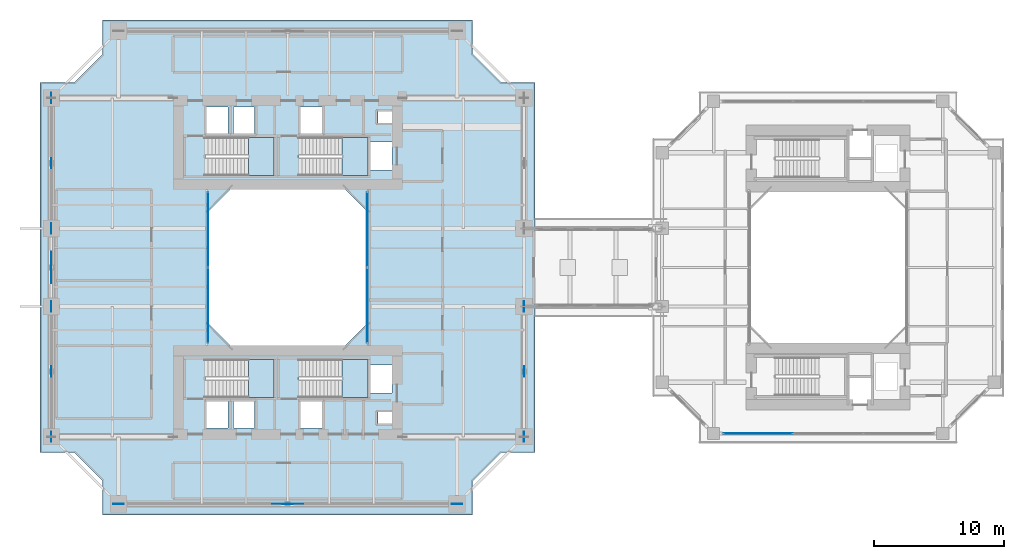
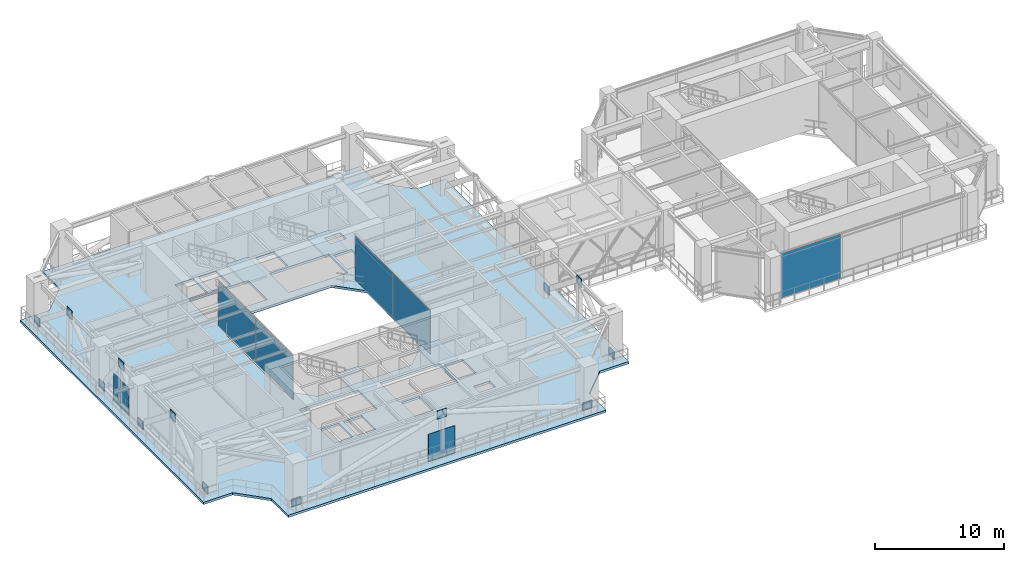
# One storey, part 11 of 26: 20 plates, 5 slabs, 7 elements without a shape of their own.
"""IFC4 building model written with IfcOpenShell, lengths in metres."""

from ifc_helpers import new_model, si_unit, direction, frame, origin, origin_2d, place, context, subcontext, project, spatial, polyline, rectangle, outline, extrude, source, transform, mapped, material, layer, layer_set, type_object, element, aggregate, save


model = new_model("IFC4")

# Units and contexts
model_context = context("Model", 3, precision=1e-05, world=origin(), true_north=direction((0.0, 1.0)))
body_context = subcontext(model_context, "Body", "Model", "MODEL_VIEW")
ifc_project = project(units=[si_unit("LENGTHUNIT", "METRE"), si_unit("AREAUNIT", "SQUARE_METRE"), si_unit("VOLUMEUNIT", "CUBIC_METRE"), si_unit("PLANEANGLEUNIT", "RADIAN"), si_unit("MASSUNIT", "GRAM", prefix="KILO"), si_unit("THERMODYNAMICTEMPERATUREUNIT", "KELVIN"), si_unit("POWERUNIT", "WATT")], contexts=[model_context])

# Site, building, storey
site_placement = place(None, origin())
site = spatial("IfcSite", under=ifc_project, at=site_placement, CompositionType="ELEMENT")
building_placement = place(site_placement, origin())
building = spatial("IfcBuilding", under=site, at=building_placement, Name="Qiaomeng Ring Towers", CompositionType="ELEMENT")
storey_placement = place(building_placement, frame((0.0, 0.0, 45.75)))
storey = spatial("IfcBuildingStorey", under=building, at=storey_placement, Name="L12", CompositionType="ELEMENT", Elevation=45.75)

# Slab
ifc_material_1 = material(Name="Concrete C40", Category="concrete")
ifc_layer_1 = layer(ifc_material_1, 0.219970703125, Name="Concrete C40")
ifc_layer_set_1 = layer_set([ifc_layer_1], Name="Concrete C40")
slab_type_1 = type_object("IfcSlabType", Name="STR-SL-220", PredefinedType="FLOOR", material=ifc_layer_set_1)
slab_1_placement = place(storey_placement, frame((0.0, 0.0, -0.219970703125)))
element("IfcSlab", 1, at=slab_1_placement, inside=storey, type_object=slab_type_1, Name="L12 Tower 1 Annular Floor Slab", PredefinedType="FLOOR", context=body_context, shape_type="SweptSolid", body=[
    extrude(outline(polyline([(4.800048828125, 4.0), (33.199951171875, 4.0), (33.199951171875, 6.60009765625), (35.39990234375, 8.800048828125), (38.0, 8.800048828125), (38.0, 37.199951171875), (35.39990234375, 37.199951171875), (33.199951171875, 39.39990234375), (33.199951171875, 42.0), (4.800048828125, 42.0), (4.800048828125, 39.39990234375), (2.60009765625, 37.199951171875), (0.0, 37.199951171875), (0.0, 8.800048828125), (2.60009765625, 8.800048828125), (4.800048828125, 6.60009765625), (4.800048828125, 4.0)]), holes=[polyline([(12.780029296875, 10.679931640625), (12.780029296875, 12.820068359375), (14.419921875, 12.820068359375), (14.419921875, 10.679931640625), (12.780029296875, 10.679931640625)]), polyline([(14.830078125, 12.820068359375), (16.469970703125, 12.820068359375), (16.469970703125, 10.679931640625), (14.830078125, 10.679931640625), (14.830078125, 12.820068359375)]), polyline([(12.679931640625, 15.949951171875), (17.949951171875, 15.949951171875), (17.949951171875, 13.010009765625), (12.679931640625, 13.010009765625), (12.679931640625, 15.949951171875)]), polyline([(25.199951171875, 27.199951171875), (25.199951171875, 18.800048828125), (23.199951171875, 16.800048828125), (14.800048828125, 16.800048828125), (12.800048828125, 18.800048828125), (12.800048828125, 27.199951171875), (14.800048828125, 29.199951171875), (23.199951171875, 29.199951171875), (25.199951171875, 27.199951171875)]), polyline([(12.679931640625, 32.989990234375), (17.949951171875, 32.989990234375), (17.949951171875, 30.050048828125), (12.679931640625, 30.050048828125), (12.679931640625, 32.989990234375)]), polyline([(12.780029296875, 35.320068359375), (14.419921875, 35.320068359375), (14.419921875, 33.179931640625), (12.780029296875, 33.179931640625), (12.780029296875, 35.320068359375)]), polyline([(14.830078125, 35.320068359375), (16.469970703125, 35.320068359375), (16.469970703125, 33.179931640625), (14.830078125, 33.179931640625), (14.830078125, 35.320068359375)]), polyline([(19.97998046875, 35.320068359375), (21.6201171875, 35.320068359375), (21.6201171875, 33.179931640625), (19.97998046875, 33.179931640625), (19.97998046875, 35.320068359375)]), polyline([(25.919921875, 11.89990234375), (27.360107421875, 11.89990234375), (27.360107421875, 11.0), (25.919921875, 11.0), (25.919921875, 11.89990234375)]), polyline([(19.97998046875, 12.820068359375), (21.6201171875, 12.820068359375), (21.6201171875, 10.679931640625), (19.97998046875, 10.679931640625), (19.97998046875, 12.820068359375)]), polyline([(25.360107421875, 15.52001953125), (27.0, 15.52001953125), (27.0, 13.3798828125), (25.360107421875, 13.3798828125), (25.360107421875, 15.52001953125)]), polyline([(19.8798828125, 15.949951171875), (25.14990234375, 15.949951171875), (25.14990234375, 13.010009765625), (19.8798828125, 13.010009765625), (19.8798828125, 15.949951171875)]), polyline([(19.8798828125, 32.989990234375), (25.14990234375, 32.989990234375), (25.14990234375, 30.050048828125), (19.8798828125, 30.050048828125), (19.8798828125, 32.989990234375)]), polyline([(25.360107421875, 32.6201171875), (27.0, 32.6201171875), (27.0, 30.47998046875), (25.360107421875, 30.47998046875), (25.360107421875, 32.6201171875)]), polyline([(25.919921875, 35.0), (27.360107421875, 35.0), (27.360107421875, 34.10009765625), (25.919921875, 34.10009765625), (25.919921875, 35.0)])]), origin(), (0.0, 0.0, 1.0), 0.219970703125),
])

# Stair, slab
ifc_material_2 = material(Name="Precast concrete C40", Category="concrete")
stair_type = type_object("IfcStairType", Name="ARC-ST-450", PredefinedType="HALF_TURN_STAIR", material=ifc_material_2)
stair_1_placement = place(storey_placement, origin())
stair_1 = element("IfcStair", 2, at=stair_1_placement, inside=storey, type_object=stair_type, Name="L12 Tower 1 North Stair 1", PredefinedType="HALF_TURN_STAIR")
ifc_layer_2 = layer(ifc_material_1, 0.199951171875, Name="Concrete C40")
ifc_layer_set_2 = layer_set([ifc_layer_2], Name="Concrete C40")
slab_type_2 = type_object("IfcSlabType", Name="STR-SL-LANDING", PredefinedType="LANDING", material=ifc_layer_set_2)
slab_2_placement = place(storey_placement, frame((0.0, 0.0, 2.050048828125)))
slab_2 = element("IfcSlab", 3, at=slab_2_placement, type_object=slab_type_2, Name="ST1 landing 1", PredefinedType="LANDING", context=body_context, shape_type="SweptSolid", body=[
    extrude(outline(polyline([(15.97998046875, 30.050048828125), (17.949951171875, 30.050048828125), (17.949951171875, 32.989990234375), (15.97998046875, 32.989990234375), (15.97998046875, 30.050048828125)])), origin(), (0.0, 0.0, 1.0), 0.199951171875),
])
aggregate(stair_1, [slab_2])

stair_2_placement = place(storey_placement, origin())
stair_2 = element("IfcStair", 4, at=stair_2_placement, inside=storey, type_object=stair_type, Name="L12 Tower 1 North Stair 2", PredefinedType="HALF_TURN_STAIR")
slab_3_placement = place(storey_placement, frame((0.0, 0.0, 2.050048828125)))
slab_3 = element("IfcSlab", 5, at=slab_3_placement, type_object=slab_type_2, Name="ST2 landing 1", PredefinedType="LANDING", context=body_context, shape_type="SweptSolid", body=[
    extrude(outline(polyline([(23.179931640625, 30.050048828125), (25.14990234375, 30.050048828125), (25.14990234375, 32.989990234375), (23.179931640625, 32.989990234375), (23.179931640625, 30.050048828125)])), origin(), (0.0, 0.0, 1.0), 0.199951171875),
])
aggregate(stair_2, [slab_3])

stair_3_placement = place(storey_placement, origin())
stair_3 = element("IfcStair", 6, at=stair_3_placement, inside=storey, type_object=stair_type, Name="L12 Tower 1 South Stair 3", PredefinedType="HALF_TURN_STAIR")
slab_4_placement = place(storey_placement, frame((0.0, 0.0, 2.050048828125)))
slab_4 = element("IfcSlab", 7, at=slab_4_placement, type_object=slab_type_2, Name="ST3 landing 1", PredefinedType="LANDING", context=body_context, shape_type="SweptSolid", body=[
    extrude(outline(polyline([(15.97998046875, 13.010009765625), (17.949951171875, 13.010009765625), (17.949951171875, 15.949951171875), (15.97998046875, 15.949951171875), (15.97998046875, 13.010009765625)])), origin(), (0.0, 0.0, 1.0), 0.199951171875),
])
aggregate(stair_3, [slab_4])

stair_4_placement = place(storey_placement, origin())
stair_4 = element("IfcStair", 8, at=stair_4_placement, inside=storey, type_object=stair_type, Name="L12 Tower 1 South Stair 4", PredefinedType="HALF_TURN_STAIR")
slab_5_placement = place(storey_placement, frame((0.0, 0.0, 2.050048828125)))
slab_5 = element("IfcSlab", 9, at=slab_5_placement, type_object=slab_type_2, Name="ST4 landing 1", PredefinedType="LANDING", context=body_context, shape_type="SweptSolid", body=[
    extrude(outline(polyline([(23.179931640625, 13.010009765625), (25.14990234375, 13.010009765625), (25.14990234375, 15.949951171875), (23.179931640625, 15.949951171875), (23.179931640625, 13.010009765625)])), origin(), (0.0, 0.0, 1.0), 0.199951171875),
])
aggregate(stair_4, [slab_5])

# Plates
ifc_material_3 = material(Name="Steel Q390GJC", Category="steel")
ifc_layer_3 = layer(ifc_material_3, 0.031982421875, Name="Steel Q390GJC")
ifc_layer_set_3 = layer_set([ifc_layer_3], Name="Steel Q390GJC")
plate_type_1 = type_object("IfcPlateType", Name="STR-PL-GUSSET", PredefinedType="USERDEFINED", material=ifc_layer_set_3)
shared_shape_1 = source(origin(), body_context, "Body", "SweptSolid", [
    extrude(rectangle(XDim=0.800048828125, YDim=0.031982421875, at=origin_2d()), origin(), (0.0, 0.0, 1.0), 0.800048828125),
])
for number, where, z_axis, x_axis, name in (
    (10, (19.0, 4.85009765625, 3.72021484375), (0.0, 0.0, 1.0), (1.0, 0.0, 0.0), "L12 Belt Truss Node Gusset Plate 1-APX"),
    (11, (6.0, 4.85009765625, -0.080078125), (0.0, 0.0, 1.0), (1.0, 0.0, 0.0), "L12 Belt Truss Node Gusset Plate 1-N1"),
    (12, (32.0, 4.85009765625, -0.080078125), (0.0, 0.0, 1.0), (1.0, 0.0, 0.0), "L12 Belt Truss Node Gusset Plate 1-N2"),
    (13, (37.14990234375, 15.0, 3.72021484375), (0.0, 0.0, 1.0), (0.0, 1.0, 0.0), "L12 Belt Truss Node Gusset Plate 2-APX"),
    (14, (37.14990234375, 10.0, -0.080078125), (0.0, 0.0, 1.0), (0.0, 1.0, 0.0), "L12 Belt Truss Node Gusset Plate 2-N1"),
    (15, (37.14990234375, 20.0, -0.080078125), (0.0, 0.0, 1.0), (0.0, 1.0, 0.0), "L12 Belt Truss Node Gusset Plate 2-N2"),
    (16, (0.85009765625, 31.0, 3.72021484375), (0.0, 0.0, 1.0), (0.0, -1.0, 0.0), "L12 Belt Truss Node Gusset Plate 6-APX"),
    (17, (0.85009765625, 36.0, -0.080078125), (0.0, 0.0, 1.0), (0.0, -1.0, 0.0), "L12 Belt Truss Node Gusset Plate 6-N1"),
    (18, (0.85009765625, 26.0, -0.080078125), (0.0, 0.0, 1.0), (0.0, -1.0, 0.0), "L12 Belt Truss Node Gusset Plate 6-N2"),
    (19, (0.85009765625, 23.0, 3.72021484375), (0.0, 0.0, 1.0), (0.0, -1.0, 0.0), "L12 Belt Truss Node Gusset Plate 7-APX"),
    (20, (0.85009765625, 20.0, -0.080078125), (0.0, 0.0, 1.0), (0.0, -1.0, 0.0), "L12 Belt Truss Node Gusset Plate 7-N2"),
    (21, (0.85009765625, 15.0, 3.72021484375), (0.0, 0.0, 1.0), (0.0, -1.0, 0.0), "L12 Belt Truss Node Gusset Plate 8-APX"),
    (22, (0.85009765625, 10.0, -0.080078125), (0.0, 0.0, 1.0), (0.0, -1.0, 0.0), "L12 Belt Truss Node Gusset Plate 8-N2"),
):
    element("IfcPlate", number, at=place(storey_placement, frame(where, z_axis=z_axis, x_axis=x_axis)), inside=storey, type_object=plate_type_1, Name=name, ObjectType="GUSSET PLATE", PredefinedType="USERDEFINED", context=body_context, shape_type="MappedRepresentation", body=[
        mapped(shared_shape_1, transform((0.0, 0.0, 0.0), x_axis=(1.0, 0.0, 0.0), y_axis=(0.0, 1.0, 0.0), z_axis=(0.0, 0.0, 1.0), scale=1.0)),
    ])

# Curtain wall, plates
ifc_material_4 = material(Name="Fluorocarbon dark-grey aluminium", Category="aluminium")
ifc_layer_4 = layer(ifc_material_4, 0.139892578125, Name="Fluorocarbon dark-grey aluminium")
ifc_layer_set_4 = layer_set([ifc_layer_4], Name="Fluorocarbon dark-grey aluminium")
curtain_wall_type_1 = type_object("IfcCurtainWallType", Name="ARC-CW-4", PredefinedType="NOTDEFINED", material=ifc_layer_set_4)
curtain_wall_1_placement = place(storey_placement, origin())
curtain_wall_1 = element("IfcCurtainWall", 23, at=curtain_wall_1_placement, inside=storey, type_object=curtain_wall_type_1, Name="L12 Curtain Wall CW4", PredefinedType="NOTDEFINED")
ifc_material_5 = material(Name="Low-E dark-grey laminated double glazing", Category="glass")
ifc_layer_5 = layer(ifc_material_5, 0.028076171875, Name="Low-E dark-grey laminated double glazing")
ifc_layer_set_5 = layer_set([ifc_layer_5], Name="Low-E dark-grey laminated double glazing")
plate_type_2 = type_object("IfcPlateType", Name="ARC-CWP-DARK", PredefinedType="CURTAIN_PANEL", material=ifc_layer_set_5)
shared_shape_2 = source(origin(), body_context, "Body", "SweptSolid", [
    extrude(rectangle(XDim=5.75244140625, YDim=0.028076171875, at=origin_2d()), origin(), (0.0, 0.0, 1.0), 4.18994140625),
])
plate_1_placement = place(storey_placement, frame((12.8798828125, 20.09130859375, 0.06494140625), z_axis=(0.0, 0.0, 1.0), x_axis=(0.0, 1.0, 0.0)))
plate_1 = element("IfcPlate", 24, at=plate_1_placement, type_object=plate_type_2, Name="CW4 panel 1.1", PredefinedType="CURTAIN_PANEL", context=body_context, shape_type="MappedRepresentation", body=[
    mapped(shared_shape_2, transform((0.0, 0.0, 0.0), x_axis=(1.0, 0.0, 0.0), y_axis=(0.0, 1.0, 0.0), z_axis=(0.0, 0.0, 1.0), scale=1.0)),
])
plate_2_placement = place(storey_placement, frame((12.8798828125, 25.90869140625, 0.06494140625), z_axis=(0.0, 0.0, 1.0), x_axis=(0.0, 1.0, 0.0)))
plate_2 = element("IfcPlate", 25, at=plate_2_placement, type_object=plate_type_2, Name="CW4 panel 2.1", PredefinedType="CURTAIN_PANEL", context=body_context, shape_type="MappedRepresentation", body=[
    mapped(shared_shape_2, transform((0.0, 0.0, 0.0), x_axis=(1.0, 0.0, 0.0), y_axis=(0.0, 1.0, 0.0), z_axis=(0.0, 0.0, 1.0), scale=1.0)),
])
aggregate(curtain_wall_1, [plate_1, plate_2])

curtain_wall_2_placement = place(storey_placement, origin())
curtain_wall_2 = element("IfcCurtainWall", 26, at=curtain_wall_2_placement, inside=storey, type_object=curtain_wall_type_1, Name="L12 Curtain Wall CW4", PredefinedType="NOTDEFINED")
plate_3_placement = place(storey_placement, frame((25.1201171875, 20.09130859375, 0.06494140625), z_axis=(0.0, 0.0, 1.0), x_axis=(0.0, 1.0, 0.0)))
plate_3 = element("IfcPlate", 27, at=plate_3_placement, type_object=plate_type_2, Name="CW4 panel 1.1", PredefinedType="CURTAIN_PANEL", context=body_context, shape_type="MappedRepresentation", body=[
    mapped(shared_shape_2, transform((0.0, 0.0, 0.0), x_axis=(1.0, 0.0, 0.0), y_axis=(0.0, 1.0, 0.0), z_axis=(0.0, 0.0, 1.0), scale=1.0)),
])
plate_4_placement = place(storey_placement, frame((25.1201171875, 25.90869140625, 0.06494140625), z_axis=(0.0, 0.0, 1.0), x_axis=(0.0, 1.0, 0.0)))
plate_4 = element("IfcPlate", 28, at=plate_4_placement, type_object=plate_type_2, Name="CW4 panel 2.1", PredefinedType="CURTAIN_PANEL", context=body_context, shape_type="MappedRepresentation", body=[
    mapped(shared_shape_2, transform((0.0, 0.0, 0.0), x_axis=(1.0, 0.0, 0.0), y_axis=(0.0, 1.0, 0.0), z_axis=(0.0, 0.0, 1.0), scale=1.0)),
])
aggregate(curtain_wall_2, [plate_3, plate_4])

# Plates
ifc_material_6 = material(Name="Stainless steel 316", Category="steel")
ifc_layer_6 = layer(ifc_material_6, 0.011962890625, Name="Stainless steel 316")
ifc_layer_set_6 = layer_set([ifc_layer_6], Name="Stainless steel 316")
plate_type_3 = type_object("IfcPlateType", Name="ARC-PL-SCREEN", PredefinedType="SHEET", material=ifc_layer_set_6)
shared_shape_3 = source(origin(), body_context, "Body", "SweptSolid", [
    extrude(rectangle(XDim=2.39990234375, YDim=0.011962890625, at=origin_2d()), origin(), (0.0, 0.0, 1.0), 2.60009765625),
])
for number, where, z_axis, x_axis, name in (
    (29, (19.0, 4.85009765625, 0.0), (0.0, 0.0, 1.0), (1.0, 0.0, 0.0), "L12 Perforated Refuge Wind Screen S"),
    (30, (0.85009765625, 23.0, 0.0), (0.0, 0.0, 1.0), (0.0, -1.0, 0.0), "L12 Perforated Refuge Wind Screen W"),
):
    element("IfcPlate", number, at=place(storey_placement, frame(where, z_axis=z_axis, x_axis=x_axis)), inside=storey, type_object=plate_type_3, Name=name, PredefinedType="SHEET", context=body_context, shape_type="MappedRepresentation", body=[
        mapped(shared_shape_3, transform((0.0, 0.0, 0.0), x_axis=(1.0, 0.0, 0.0), y_axis=(0.0, 1.0, 0.0), z_axis=(0.0, 0.0, 1.0), scale=1.0)),
    ])

# Curtain wall, plate
ifc_layer_7 = layer(ifc_material_4, 0.14990234375, Name="Fluorocarbon dark-grey aluminium")
ifc_layer_set_7 = layer_set([ifc_layer_7], Name="Fluorocarbon dark-grey aluminium")
curtain_wall_type_2 = type_object("IfcCurtainWallType", Name="ARC-CW-5", PredefinedType="NOTDEFINED", material=ifc_layer_set_7)
curtain_wall_3_placement = place(storey_placement, origin())
curtain_wall_3 = element("IfcCurtainWall", 31, at=curtain_wall_3_placement, inside=storey, type_object=curtain_wall_type_2, Name="L12 Curtain Wall CW5", PredefinedType="NOTDEFINED")
shared_shape_4 = source(origin(), body_context, "Body", "SweptSolid", [
    extrude(rectangle(XDim=5.284912109375, YDim=0.028076171875, at=origin_2d()), origin(), (0.0, 0.0, 1.0), 4.18994140625),
])
plate_5_placement = place(storey_placement, frame((55.12744140625, 10.25, 0.06494140625), z_axis=(0.0, 0.0, 1.0), x_axis=(1.0, 0.0, 0.0)))
plate_5 = element("IfcPlate", 32, at=plate_5_placement, type_object=plate_type_2, Name="CW5 panel 1.1", PredefinedType="CURTAIN_PANEL", context=body_context, shape_type="MappedRepresentation", body=[
    mapped(shared_shape_4, transform((0.0, 0.0, 0.0), x_axis=(1.0, 0.0, 0.0), y_axis=(0.0, 1.0, 0.0), z_axis=(0.0, 0.0, 1.0), scale=1.0)),
])
aggregate(curtain_wall_3, [plate_5])

save(model, "model.ifc")
